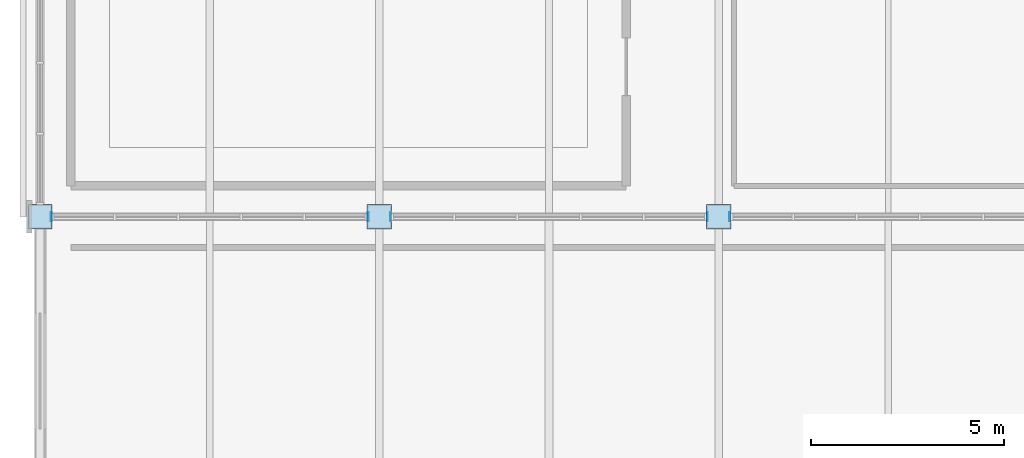
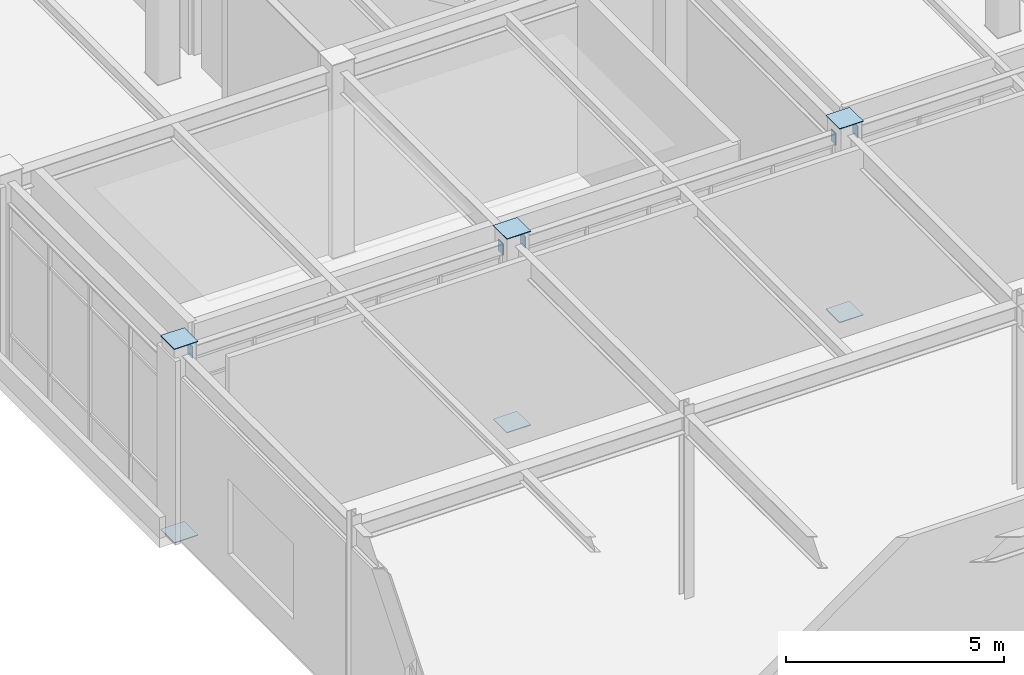
# One storey, part 105 of 184: 11 plates.
"""IFC4 building model written with IfcOpenShell, lengths in metres."""

from ifc_helpers import new_model, si_unit, direction, frame, origin, origin_2d, place, context, subcontext, project, spatial, rectangle, extrude, material, layer, layer_set, type_object, element, save


model = new_model("IFC4")

# Units and contexts
model_context = context("Model", 3, precision=1e-05, world=origin(), true_north=direction((0.0, 1.0)))
body_context = subcontext(model_context, "Body", "Model", "MODEL_VIEW")
ifc_project = project(units=[si_unit("LENGTHUNIT", "METRE"), si_unit("AREAUNIT", "SQUARE_METRE"), si_unit("VOLUMEUNIT", "CUBIC_METRE"), si_unit("PLANEANGLEUNIT", "RADIAN"), si_unit("MASSUNIT", "GRAM", prefix="KILO")], contexts=[model_context])

# Site, building, storey
site_placement = place(None, origin())
site = spatial("IfcSite", under=ifc_project, at=site_placement, CompositionType="ELEMENT")
building_placement = place(site_placement, origin())
building = spatial("IfcBuilding", under=site, at=building_placement, Name="Zhaolan Boulevard Law Courts", CompositionType="ELEMENT")
storey_placement = place(building_placement, frame((0.0, 0.0, 5.39990234375)))
storey = spatial("IfcBuildingStorey", under=building, at=storey_placement, Name="L01", CompositionType="ELEMENT", Elevation=5.39990234375)

# Plates
ifc_material = material(Name="Structural steel Q355B", Category="steel")
ifc_layer = layer(ifc_material, 0.02001953125)
ifc_layer_set = layer_set([ifc_layer])
plate_type = type_object("IfcPlateType", Name="END CAP PLATE 20", PredefinedType="SHEET", material=ifc_layer_set)
for number, where, z_axis, x_axis, name in (
    (1, (0.0, 30.0, -0.017822265625), (0.0, 0.0, 1.0), (1.0, 0.0, 0.0), "Hollow Section End-Cap Plate ECP-0005"),
    (2, (0.0, 30.0, 5.398193359375), (0.0, 0.0, 1.0), (1.0, 0.0, 0.0), "Hollow Section End-Cap Plate ECP-0006"),
    (3, (8.800048828125, 30.0, -0.017822265625), (0.0, 0.0, 1.0), (1.0, 0.0, 0.0), "Hollow Section End-Cap Plate ECP-0139"),
    (4, (8.800048828125, 30.0, 5.398193359375), (0.0, 0.0, 1.0), (1.0, 0.0, 0.0), "Hollow Section End-Cap Plate ECP-0140"),
    (5, (17.60009765625, 30.0, -0.017822265625), (0.0, 0.0, 1.0), (1.0, 0.0, 0.0), "Hollow Section End-Cap Plate ECP-0273"),
    (6, (17.60009765625, 30.0, 5.398193359375), (0.0, 0.0, 1.0), (1.0, 0.0, 0.0), "Hollow Section End-Cap Plate ECP-0274"),
):
    element("IfcPlate", number, at=place(storey_placement, frame(where, z_axis=z_axis, x_axis=x_axis)), inside=storey, type_object=plate_type, Name=name, PredefinedType="SHEET", context=body_context, shape_type="SweptSolid", body=[
        extrude(rectangle(XDim=0.6298828125, YDim=0.6298828125, at=origin_2d()), origin(), (0.0, 0.0, 1.0), 0.02001953125),
    ])
for number, where, z_axis, x_axis, name in (
    (7, (0.2880859375, 30.0, 4.822998046875), (0.0, 0.0, 1.0), (1.0, 0.0, 0.0), "Hollow Section End-Cap Plate ECP-0723"),
    (8, (8.511962890625, 30.0, 4.822998046875), (0.0, 0.0, 1.0), (1.0, 0.0, 0.0), "Hollow Section End-Cap Plate ECP-0724"),
    (9, (9.087890625, 30.0, 4.822998046875), (0.0, 0.0, 1.0), (1.0, 0.0, 0.0), "Hollow Section End-Cap Plate ECP-0725"),
    (10, (17.31201171875, 30.0, 4.822998046875), (0.0, 0.0, 1.0), (1.0, 0.0, 0.0), "Hollow Section End-Cap Plate ECP-0726"),
    (11, (17.887939453125, 30.0, 4.822998046875), (0.0, 0.0, 1.0), (1.0, 0.0, 0.0), "Hollow Section End-Cap Plate ECP-0727"),
):
    element("IfcPlate", number, at=place(storey_placement, frame(where, z_axis=z_axis, x_axis=x_axis)), inside=storey, type_object=plate_type, Name=name, PredefinedType="SHEET", context=body_context, shape_type="SweptSolid", body=[
        extrude(rectangle(XDim=0.02001953125, YDim=0.22998046875, at=origin_2d()), origin(), (0.0, 0.0, 1.0), 0.330078125),
    ])

save(model, "model.ifc")
